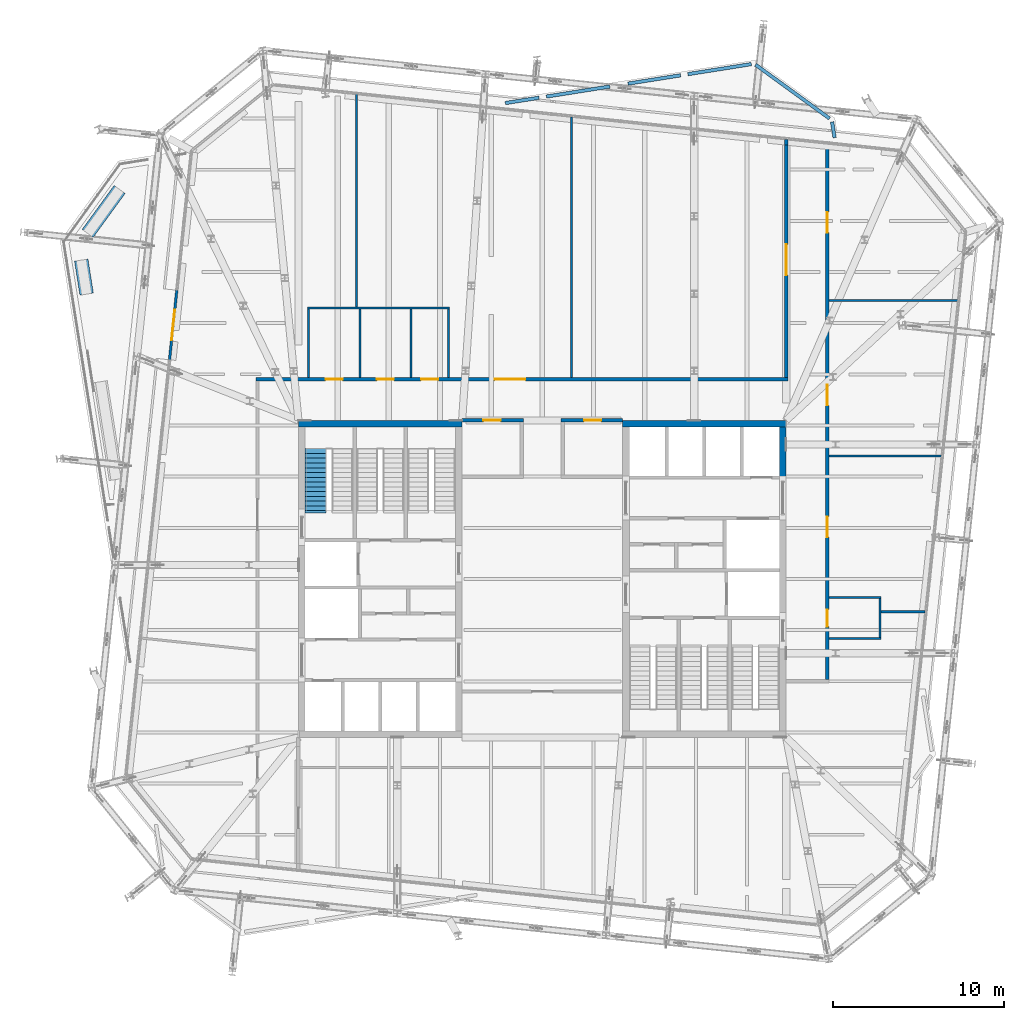
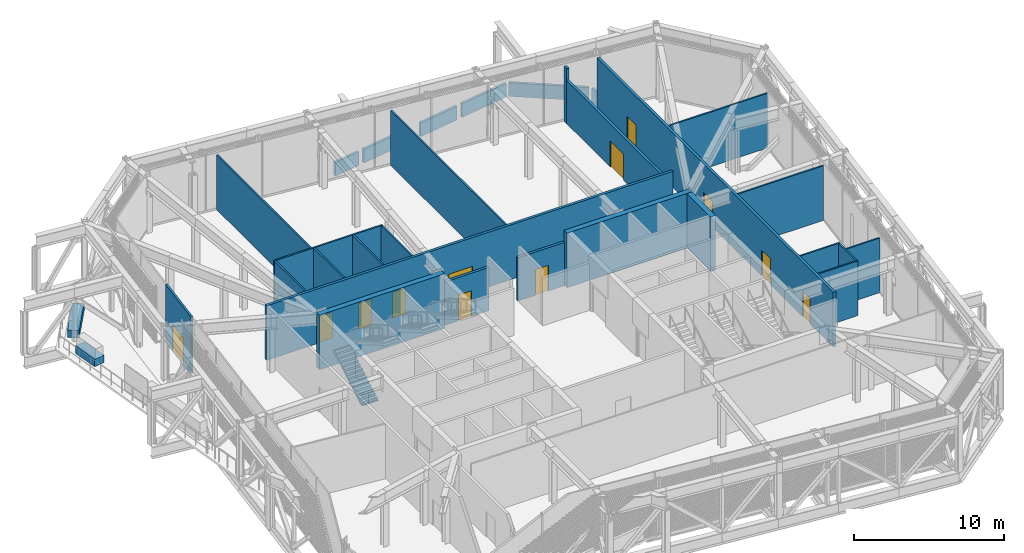
# One storey, part 23 of 36: 31 walls, 12 doors, 1 stair flight, 12 openings, 1 element without a shape of its own.
"""IFC4 building model written with IfcOpenShell, lengths in metres."""

from ifc_helpers import new_model, si_unit, direction, frame, frame_2d, origin, place, context, subcontext, project, spatial, polyline, rectangle, outline, extrude, material, layer, layer_set, type_object, element, fill, aggregate, save


model = new_model("IFC4")

# Units and contexts
model_context = context("Model", 3, precision=1e-05, world=origin(), true_north=direction((0.0, 1.0)))
body_context = subcontext(model_context, "Body", "Model", "MODEL_VIEW")
ifc_project = project(units=[si_unit("LENGTHUNIT", "METRE"), si_unit("AREAUNIT", "SQUARE_METRE"), si_unit("VOLUMEUNIT", "CUBIC_METRE"), si_unit("PLANEANGLEUNIT", "RADIAN"), si_unit("MASSUNIT", "GRAM", prefix="KILO")], contexts=[model_context])

# Site, building, storey
site_placement = place(None, origin())
site = spatial("IfcSite", under=ifc_project, at=site_placement, CompositionType="ELEMENT")
building_placement = place(site_placement, origin())
building = spatial("IfcBuilding", under=site, at=building_placement, Name="Millrace Tower", CompositionType="ELEMENT")
storey_placement = place(building_placement, frame((0.0, 0.0, 271.39990234375)))
storey = spatial("IfcBuildingStorey", under=building, at=storey_placement, Name="L62", CompositionType="ELEMENT", Elevation=271.39990234375)

# Walls
ifc_material_1 = material(Name="Concrete C60", Category="concrete")
ifc_layer_1 = layer(ifc_material_1, 0.39990234375)
ifc_layer_set_1 = layer_set([ifc_layer_1], Name="Concrete C60")
wall_type_1 = type_object("IfcWallType", Name="Core wall 400 Concrete C60", PredefinedType="SHEAR", material=ifc_layer_set_1)
for number, where, z_axis, x_axis, name in (
    (1, (-14.300048828125, 9.10009765625, 0.0), (0.0, 0.0, 1.0), (1.0, 0.0, 0.0), "Core wall W L62"),
    (2, (14.300048828125, 9.10009765625, 0.0), (0.0, 0.0, 1.0), (-1.0, 0.0, 0.0), "Core wall E L62"),
):
    element("IfcWall", number, at=place(storey_placement, frame(where, z_axis=z_axis, x_axis=x_axis)), inside=storey, type_object=wall_type_1, Name=name, PredefinedType="SHEAR", context=body_context, shape_type="SweptSolid", body=[
        extrude(rectangle(XDim=9.60009765625, YDim=0.39990234375, at=frame_2d((4.800048828125, 0.0))), origin(), (0.0, 0.0, 1.0), 4.440185546875),
    ])
wall_1_placement = place(storey_placement, frame((14.10009765625, 8.89990234375, 0.0), z_axis=(0.0, 0.0, 1.0), x_axis=(0.0, -1.0, 0.0)))
element("IfcWall", 3, at=wall_1_placement, inside=storey, type_object=wall_type_1, Name="Core wall E L62", PredefinedType="SHEAR", context=body_context, shape_type="SweptSolid", body=[
    extrude(rectangle(XDim=3.14990234375, YDim=0.39990234375, at=frame_2d((1.574951171875, 0.0))), origin(), (0.0, 0.0, 1.0), 4.440185546875),
])

# Wall, opening, door
ifc_material_2 = material(Name="Masonry partition, fire-rated", Category="masonry")
ifc_layer_2 = layer(ifc_material_2, 0.199951171875)
ifc_layer_set_2 = layer_set([ifc_layer_2], Name="Masonry partition, fire-rated")
wall_type_2 = type_object("IfcWallType", Name="Corridor wall 200", PredefinedType="PARTITIONING", material=ifc_layer_set_2)
wall_2_placement = place(storey_placement, frame((-4.699951171875, 9.300048828125, 0.0), z_axis=(0.0, 0.0, 1.0), x_axis=(1.0, 0.0, 0.0)))
wall_2 = element("IfcWall", 4, at=wall_2_placement, inside=storey, type_object=wall_type_2, Name="Corridor wall L62", PredefinedType="PARTITIONING", context=body_context, shape_type="SweptSolid", body=[
    extrude(rectangle(XDim=3.599853515625, YDim=0.199951171875, at=frame_2d((1.7998046875, 0.0))), origin(), (0.0, 0.0, 1.0), 3.512939453125),
])
opening_1_placement = place(wall_2_placement, frame((1.25, 0.0, 0.0)))
opening_1 = element("IfcOpeningElement", 5, at=opening_1_placement, cuts=wall_2, Name="Opening 62-P001", PredefinedType="OPENING", context=body_context, shape_type="SweptSolid", body=[
    extrude(rectangle(XDim=1.0, YDim=2.10009765625, at=frame_2d((0.5, 1.050048828125))), frame((0.0, 0.10986328125, 0.0), z_axis=(0.0, -1.0, 0.0), x_axis=(1.0, 0.0, 0.0)), (0.0, 0.0, 1.0), 0.219970703125),
])
ifc_material_3 = material(Name="Steel door set, fire-rated", Category="steel")
door_type_1 = type_object("IfcDoorType", Name="Corridor door 1000 x 2100", OperationType="SINGLE_SWING_LEFT", PredefinedType="DOOR", material=ifc_material_3)
door_1_placement = place(opening_1_placement, frame((1.0, 0.0, 0.0), z_axis=(0.0, 0.0, 1.0), x_axis=(-1.0, 0.0, 0.0)))
door_1 = element("IfcDoor", 6, at=door_1_placement, inside=storey, type_object=door_type_1, Name="Door 62-P001", OperationType="SINGLE_SWING_RIGHT", OverallHeight=2.10009765625, OverallWidth=1.0, PredefinedType="DOOR", context=body_context, shape_type="SweptSolid", body=[
    extrude(rectangle(XDim=1.0, YDim=2.10009765625, at=frame_2d((0.5, 1.050048828125))), frame((0.0, 0.02490234375, 0.0), z_axis=(0.0, -1.0, 0.0), x_axis=(1.0, 0.0, 0.0)), (0.0, 0.0, 1.0), 0.050048828125),
])
fill(opening_1, door_1)

wall_3_placement = place(storey_placement, frame((1.10009765625, 9.300048828125, 0.0), z_axis=(0.0, 0.0, 1.0), x_axis=(1.0, 0.0, 0.0)))
wall_3 = element("IfcWall", 7, at=wall_3_placement, inside=storey, type_object=wall_type_2, Name="Corridor wall L62", PredefinedType="PARTITIONING", context=body_context, shape_type="SweptSolid", body=[
    extrude(rectangle(XDim=3.599853515625, YDim=0.199951171875, at=frame_2d((1.7998046875, 0.0))), origin(), (0.0, 0.0, 1.0), 3.512939453125),
])
opening_2_placement = place(wall_3_placement, frame((1.35009765625, 0.0, 0.0)))
opening_2 = element("IfcOpeningElement", 8, at=opening_2_placement, cuts=wall_3, Name="Opening 62-P002", PredefinedType="OPENING", context=body_context, shape_type="SweptSolid", body=[
    extrude(rectangle(XDim=1.0, YDim=2.10009765625, at=frame_2d((0.5, 1.050048828125))), frame((0.0, 0.10986328125, 0.0), z_axis=(0.0, -1.0, 0.0), x_axis=(1.0, 0.0, 0.0)), (0.0, 0.0, 1.0), 0.219970703125),
])
door_2_placement = place(opening_2_placement, frame((1.0, 0.0, 0.0), z_axis=(0.0, 0.0, 1.0), x_axis=(-1.0, 0.0, 0.0)))
door_2 = element("IfcDoor", 9, at=door_2_placement, inside=storey, type_object=door_type_1, Name="Door 62-P002", OperationType="SINGLE_SWING_RIGHT", OverallHeight=2.10009765625, OverallWidth=1.0, PredefinedType="DOOR", context=body_context, shape_type="SweptSolid", body=[
    extrude(rectangle(XDim=1.0, YDim=2.10009765625, at=frame_2d((0.5, 1.050048828125))), frame((0.0, 0.02490234375, 0.0), z_axis=(0.0, -1.0, 0.0), x_axis=(1.0, 0.0, 0.0)), (0.0, 0.0, 1.0), 0.050048828125),
])
fill(opening_2, door_2)

# Wall, openings, doors
wall_4_placement = place(storey_placement, frame((-16.800048828125, 11.699951171875, 0.0), z_axis=(0.0, 0.0, 1.0), x_axis=(1.0, 0.0, 0.0)))
wall_4 = element("IfcWall", 10, at=wall_4_placement, inside=storey, type_object=wall_type_2, Name="Corridor wall L62", PredefinedType="PARTITIONING", context=body_context, shape_type="SweptSolid", body=[
    extrude(rectangle(XDim=31.199951171875, YDim=0.199951171875, at=frame_2d((15.60009765625, 0.0))), origin(), (0.0, 0.0, 1.0), 4.440185546875),
])
opening_3_placement = place(wall_4_placement, frame((14.00390625, 0.0, 0.0)))
opening_3 = element("IfcOpeningElement", 11, at=opening_3_placement, cuts=wall_4, Name="Opening 62-P005", PredefinedType="OPENING", context=body_context, shape_type="SweptSolid", body=[
    extrude(rectangle(XDim=1.800048828125, YDim=2.10009765625, at=frame_2d((0.89990234375, 1.050048828125))), frame((0.0, 0.10986328125, 0.0), z_axis=(0.0, -1.0, 0.0), x_axis=(1.0, 0.0, 0.0)), (0.0, 0.0, 1.0), 0.219970703125),
])
opening_4_placement = place(wall_4_placement, frame((4.10009765625, 0.0, 0.0)))
opening_4 = element("IfcOpeningElement", 12, at=opening_4_placement, cuts=wall_4, Name="Opening 62-P013", PredefinedType="OPENING", context=body_context, shape_type="SweptSolid", body=[
    extrude(rectangle(XDim=1.0, YDim=2.10009765625, at=frame_2d((0.5, 1.050048828125))), frame((0.0, 0.10986328125, 0.0), z_axis=(0.0, -1.0, 0.0), x_axis=(1.0, 0.0, 0.0)), (0.0, 0.0, 1.0), 0.219970703125),
])
opening_5_placement = place(wall_4_placement, frame((7.10009765625, 0.0, 0.0)))
opening_5 = element("IfcOpeningElement", 13, at=opening_5_placement, cuts=wall_4, Name="Opening 62-P014", PredefinedType="OPENING", context=body_context, shape_type="SweptSolid", body=[
    extrude(rectangle(XDim=1.0, YDim=2.10009765625, at=frame_2d((0.5, 1.050048828125))), frame((0.0, 0.10986328125, 0.0), z_axis=(0.0, -1.0, 0.0), x_axis=(1.0, 0.0, 0.0)), (0.0, 0.0, 1.0), 0.219970703125),
])
opening_6_placement = place(wall_4_placement, frame((9.699951171875, 0.0, 0.0)))
opening_6 = element("IfcOpeningElement", 14, at=opening_6_placement, cuts=wall_4, Name="Opening 62-P015", PredefinedType="OPENING", context=body_context, shape_type="SweptSolid", body=[
    extrude(rectangle(XDim=1.0, YDim=2.10009765625, at=frame_2d((0.5, 1.050048828125))), frame((0.0, 0.10986328125, 0.0), z_axis=(0.0, -1.0, 0.0), x_axis=(1.0, 0.0, 0.0)), (0.0, 0.0, 1.0), 0.219970703125),
])
door_3_placement = place(opening_4_placement, origin())
door_3 = element("IfcDoor", 15, at=door_3_placement, inside=storey, type_object=door_type_1, Name="Door 62-P013", OperationType="SINGLE_SWING_LEFT", OverallHeight=2.10009765625, OverallWidth=1.0, PredefinedType="DOOR", context=body_context, shape_type="SweptSolid", body=[
    extrude(rectangle(XDim=1.0, YDim=2.10009765625, at=frame_2d((0.5, 1.050048828125))), frame((0.0, 0.02490234375, 0.0), z_axis=(0.0, -1.0, 0.0), x_axis=(1.0, 0.0, 0.0)), (0.0, 0.0, 1.0), 0.050048828125),
])
fill(opening_4, door_3)
door_4_placement = place(opening_5_placement, origin())
door_4 = element("IfcDoor", 16, at=door_4_placement, inside=storey, type_object=door_type_1, Name="Door 62-P014", OperationType="SINGLE_SWING_LEFT", OverallHeight=2.10009765625, OverallWidth=1.0, PredefinedType="DOOR", context=body_context, shape_type="SweptSolid", body=[
    extrude(rectangle(XDim=1.0, YDim=2.10009765625, at=frame_2d((0.5, 1.050048828125))), frame((0.0, 0.02490234375, 0.0), z_axis=(0.0, -1.0, 0.0), x_axis=(1.0, 0.0, 0.0)), (0.0, 0.0, 1.0), 0.050048828125),
])
fill(opening_5, door_4)
door_5_placement = place(opening_6_placement, origin())
door_5 = element("IfcDoor", 17, at=door_5_placement, inside=storey, type_object=door_type_1, Name="Door 62-P015", OperationType="SINGLE_SWING_LEFT", OverallHeight=2.10009765625, OverallWidth=1.0, PredefinedType="DOOR", context=body_context, shape_type="SweptSolid", body=[
    extrude(rectangle(XDim=1.0, YDim=2.10009765625, at=frame_2d((0.5, 1.050048828125))), frame((0.0, 0.02490234375, 0.0), z_axis=(0.0, -1.0, 0.0), x_axis=(1.0, 0.0, 0.0)), (0.0, 0.0, 1.0), 0.050048828125),
])
fill(opening_6, door_5)
ifc_material_4 = material(Name="Steel door set, fire-rated", Category="steel")
door_type_2 = type_object("IfcDoorType", Name="Corridor door 1800 x 2100", OperationType="DOUBLE_DOOR_SINGLE_SWING", PredefinedType="DOOR", material=ifc_material_4)
door_6_placement = place(opening_3_placement, frame((1.800048828125, 0.0, 0.0), z_axis=(0.0, 0.0, 1.0), x_axis=(-1.0, 0.0, 0.0)))
door_6 = element("IfcDoor", 18, at=door_6_placement, inside=storey, type_object=door_type_2, Name="Door 62-P005", OperationType="DOUBLE_DOOR_SINGLE_SWING", OverallHeight=2.10009765625, OverallWidth=1.800048828125, PredefinedType="DOOR", context=body_context, shape_type="SweptSolid", body=[
    extrude(rectangle(XDim=1.800048828125, YDim=2.10009765625, at=frame_2d((0.89990234375, 1.050048828125))), frame((0.0, 0.02490234375, 0.0), z_axis=(0.0, -1.0, 0.0), x_axis=(1.0, 0.0, 0.0)), (0.0, 0.0, 1.0), 0.050048828125),
])
fill(opening_3, door_6)

wall_5_placement = place(storey_placement, frame((16.699951171875, -5.89990234375, 0.0), z_axis=(0.0, 0.0, 1.0), x_axis=(0.0, 1.0, 0.0)))
wall_5 = element("IfcWall", 19, at=wall_5_placement, inside=storey, type_object=wall_type_2, Name="Corridor wall L62", PredefinedType="PARTITIONING", context=body_context, shape_type="SweptSolid", body=[
    extrude(rectangle(XDim=31.421142578125, YDim=0.199951171875, at=frame_2d((15.71044921875, 0.0))), origin(), (0.0, 0.0, 1.0), 4.440185546875),
])
opening_7_placement = place(wall_5_placement, frame((8.354736328125, 0.0, 0.0)))
opening_7 = element("IfcOpeningElement", 20, at=opening_7_placement, cuts=wall_5, Name="Opening 62-P009", PredefinedType="OPENING", context=body_context, shape_type="SweptSolid", body=[
    extrude(rectangle(XDim=1.199951171875, YDim=2.10009765625, at=frame_2d((0.60009765625, 1.050048828125))), frame((0.0, 0.10986328125, 0.0), z_axis=(0.0, -1.0, 0.0), x_axis=(1.0, 0.0, 0.0)), (0.0, 0.0, 1.0), 0.219970703125),
])
opening_8_placement = place(wall_5_placement, frame((26.20556640625, 0.0, 0.0)))
opening_8 = element("IfcOpeningElement", 21, at=opening_8_placement, cuts=wall_5, Name="Opening 62-P010", PredefinedType="OPENING", context=body_context, shape_type="SweptSolid", body=[
    extrude(rectangle(XDim=1.199951171875, YDim=2.10009765625, at=frame_2d((0.60009765625, 1.050048828125))), frame((0.0, 0.10986328125, 0.0), z_axis=(0.0, -1.0, 0.0), x_axis=(1.0, 0.0, 0.0)), (0.0, 0.0, 1.0), 0.219970703125),
])
opening_9_placement = place(wall_5_placement, frame((16.07470703125, 0.0, 0.0)))
opening_9 = element("IfcOpeningElement", 22, at=opening_9_placement, cuts=wall_5, Name="Opening 62-P011", PredefinedType="OPENING", context=body_context, shape_type="SweptSolid", body=[
    extrude(rectangle(XDim=1.199951171875, YDim=2.10009765625, at=frame_2d((0.60009765625, 1.050048828125))), frame((0.0, 0.10986328125, 0.0), z_axis=(0.0, -1.0, 0.0), x_axis=(1.0, 0.0, 0.0)), (0.0, 0.0, 1.0), 0.219970703125),
])
opening_10_placement = place(wall_5_placement, frame((3.10009765625, 0.0, 0.0)))
opening_10 = element("IfcOpeningElement", 23, at=opening_10_placement, cuts=wall_5, Name="Opening 62-P012", PredefinedType="OPENING", context=body_context, shape_type="SweptSolid", body=[
    extrude(rectangle(XDim=1.0, YDim=2.10009765625, at=frame_2d((0.5, 1.050048828125))), frame((0.0, 0.10986328125, 0.0), z_axis=(0.0, -1.0, 0.0), x_axis=(1.0, 0.0, 0.0)), (0.0, 0.0, 1.0), 0.219970703125),
])
door_7_placement = place(opening_10_placement, frame((1.0, 0.0, 0.0), z_axis=(0.0, 0.0, 1.0), x_axis=(-1.0, 0.0, 0.0)))
door_7 = element("IfcDoor", 24, at=door_7_placement, inside=storey, type_object=door_type_1, Name="Door 62-P012", OperationType="SINGLE_SWING_RIGHT", OverallHeight=2.10009765625, OverallWidth=1.0, PredefinedType="DOOR", context=body_context, shape_type="SweptSolid", body=[
    extrude(rectangle(XDim=1.0, YDim=2.10009765625, at=frame_2d((0.5, 1.050048828125))), frame((0.0, 0.02490234375, 0.0), z_axis=(0.0, -1.0, 0.0), x_axis=(1.0, 0.0, 0.0)), (0.0, 0.0, 1.0), 0.050048828125),
])
fill(opening_10, door_7)
ifc_material_5 = material(Name="Steel door set, fire-rated", Category="steel")
door_type_3 = type_object("IfcDoorType", Name="Corridor door 1200 x 2100", OperationType="SINGLE_SWING_LEFT", PredefinedType="DOOR", material=ifc_material_5)
door_8_placement = place(opening_7_placement, frame((1.199951171875, 0.0, 0.0), z_axis=(0.0, 0.0, 1.0), x_axis=(-1.0, 0.0, 0.0)))
door_8 = element("IfcDoor", 25, at=door_8_placement, inside=storey, type_object=door_type_3, Name="Door 62-P009", OperationType="SINGLE_SWING_RIGHT", OverallHeight=2.10009765625, OverallWidth=1.199951171875, PredefinedType="DOOR", context=body_context, shape_type="SweptSolid", body=[
    extrude(rectangle(XDim=1.199951171875, YDim=2.10009765625, at=frame_2d((0.60009765625, 1.050048828125))), frame((0.0, 0.02490234375, 0.0), z_axis=(0.0, -1.0, 0.0), x_axis=(1.0, 0.0, 0.0)), (0.0, 0.0, 1.0), 0.050048828125),
])
fill(opening_7, door_8)
door_9_placement = place(opening_8_placement, frame((1.199951171875, 0.0, 0.0), z_axis=(0.0, 0.0, 1.0), x_axis=(-1.0, 0.0, 0.0)))
door_9 = element("IfcDoor", 26, at=door_9_placement, inside=storey, type_object=door_type_3, Name="Door 62-P010", OperationType="SINGLE_SWING_LEFT", OverallHeight=2.10009765625, OverallWidth=1.199951171875, PredefinedType="DOOR", context=body_context, shape_type="SweptSolid", body=[
    extrude(rectangle(XDim=1.199951171875, YDim=2.10009765625, at=frame_2d((0.60009765625, 1.050048828125))), frame((0.0, 0.02490234375, 0.0), z_axis=(0.0, -1.0, 0.0), x_axis=(1.0, 0.0, 0.0)), (0.0, 0.0, 1.0), 0.050048828125),
])
fill(opening_8, door_9)
door_10_placement = place(opening_9_placement, frame((1.199951171875, 0.0, 0.0), z_axis=(0.0, 0.0, 1.0), x_axis=(-1.0, 0.0, 0.0)))
door_10 = element("IfcDoor", 27, at=door_10_placement, inside=storey, type_object=door_type_3, Name="Door 62-P011", OperationType="SINGLE_SWING_LEFT", OverallHeight=2.10009765625, OverallWidth=1.199951171875, PredefinedType="DOOR", context=body_context, shape_type="SweptSolid", body=[
    extrude(rectangle(XDim=1.199951171875, YDim=2.10009765625, at=frame_2d((0.60009765625, 1.050048828125))), frame((0.0, 0.02490234375, 0.0), z_axis=(0.0, -1.0, 0.0), x_axis=(1.0, 0.0, 0.0)), (0.0, 0.0, 1.0), 0.050048828125),
])
fill(opening_9, door_10)

# Wall, opening, door
wall_6_placement = place(storey_placement, frame((14.300048828125, 11.800048828125, 0.0), z_axis=(0.0, 0.0, 1.0), x_axis=(0.0, 1.0, 0.0)))
wall_6 = element("IfcWall", 28, at=wall_6_placement, inside=storey, type_object=wall_type_2, Name="Corridor wall L62", PredefinedType="PARTITIONING", context=body_context, shape_type="SweptSolid", body=[
    extrude(rectangle(XDim=13.63427734375, YDim=0.199951171875, at=frame_2d((6.817138671875, 0.0))), origin(), (0.0, 0.0, 1.0), 3.49267578125),
])
opening_11_placement = place(wall_6_placement, frame((6.011474609375, 0.0, 0.0)))
opening_11 = element("IfcOpeningElement", 29, at=opening_11_placement, cuts=wall_6, Name="Opening 62-P006", PredefinedType="OPENING", context=body_context, shape_type="SweptSolid", body=[
    extrude(rectangle(XDim=1.800048828125, YDim=2.10009765625, at=frame_2d((0.89990234375, 1.050048828125))), frame((0.0, 0.10986328125, 0.0), z_axis=(0.0, -1.0, 0.0), x_axis=(1.0, 0.0, 0.0)), (0.0, 0.0, 1.0), 0.219970703125),
])
door_11_placement = place(opening_11_placement, frame((1.800048828125, 0.0, 0.0), z_axis=(0.0, 0.0, 1.0), x_axis=(-1.0, 0.0, 0.0)))
door_11 = element("IfcDoor", 30, at=door_11_placement, inside=storey, type_object=door_type_2, Name="Door 62-P006", OperationType="DOUBLE_DOOR_SINGLE_SWING", OverallHeight=2.10009765625, OverallWidth=1.800048828125, PredefinedType="DOOR", context=body_context, shape_type="SweptSolid", body=[
    extrude(rectangle(XDim=1.800048828125, YDim=2.10009765625, at=frame_2d((0.89990234375, 1.050048828125))), frame((0.0, 0.02490234375, 0.0), z_axis=(0.0, -1.0, 0.0), x_axis=(1.0, 0.0, 0.0)), (0.0, 0.0, 1.0), 0.050048828125),
])
fill(opening_11, door_11)

# Wall
wall_7_placement = place(storey_placement, frame((14.300048828125, 25.434326171875, 0.0), z_axis=(0.0, 0.0, 1.0), x_axis=(0.0, 1.0, 0.0)))
element("IfcWall", 31, at=wall_7_placement, inside=storey, type_object=wall_type_2, Name="Corridor wall L62", PredefinedType="PARTITIONING", context=body_context, shape_type="SweptSolid", body=[
    extrude(rectangle(XDim=0.339111328125, YDim=0.199951171875, at=frame_2d((0.16943359375, 0.0))), origin(), (0.0, 0.0, 1.0), 4.440185546875),
])

# Wall, opening, door
ifc_material_6 = material(Name="Aluminium framed glazing", Category="aluminium")
ifc_layer_3 = layer(ifc_material_6, 0.14990234375)
ifc_layer_set_3 = layer_set([ifc_layer_3], Name="Aluminium framed glazing")
wall_type_3 = type_object("IfcWallType", Name="Entrance infill wall 150 thick", PredefinedType="STANDARD", material=ifc_layer_set_3)
wall_8_placement = place(storey_placement, frame((-21.428466796875, 16.9296875, 0.0), z_axis=(0.0, 0.0, 1.0), x_axis=(-0.104574934909, -0.994517009904, 0.0)))
wall_8 = element("IfcWall", 32, at=wall_8_placement, inside=storey, type_object=wall_type_3, Name="Entrance infill wall E-F08 3", PredefinedType="STANDARD", context=body_context, shape_type="SweptSolid", body=[
    extrude(rectangle(XDim=4.1650390625, YDim=0.14990234375, at=frame_2d((2.08251953125, 0.0))), origin(), (0.0, 0.0, 1.0), 4.60009765625),
])
opening_12_placement = place(wall_8_placement, frame((1.14990234375, 0.0, 0.0)))
opening_12 = element("IfcOpeningElement", 33, at=opening_12_placement, cuts=wall_8, Name="Opening 62-X001", PredefinedType="OPENING", context=body_context, shape_type="SweptSolid", body=[
    extrude(rectangle(XDim=1.800048828125, YDim=2.10009765625, at=frame_2d((0.89990234375, 1.050048828125))), frame((0.0, 0.0849609375, 0.0), z_axis=(0.0, -1.0, 0.0), x_axis=(1.0, 0.0, 0.0)), (0.0, 0.0, 1.0), 0.169921875),
])
ifc_material_7 = material(Name="Aluminium and glass", Category="aluminium")
door_type_4 = type_object("IfcDoorType", Name="Terrace double door", OperationType="DOUBLE_DOOR_DOUBLE_SWING", PredefinedType="DOOR", material=ifc_material_7)
door_12_placement = place(opening_12_placement, frame((1.800048828125, 0.0, 0.0), z_axis=(0.0, 0.0, 1.0), x_axis=(-1.0, 0.0, 0.0)))
door_12 = element("IfcDoor", 34, at=door_12_placement, inside=storey, type_object=door_type_4, Name="62-X001", OperationType="DOUBLE_DOOR_DOUBLE_SWING", OverallHeight=2.10009765625, OverallWidth=1.800048828125, PredefinedType="DOOR", context=body_context, shape_type="SweptSolid", body=[
    extrude(rectangle(XDim=1.800048828125, YDim=2.10009765625, at=frame_2d((0.89990234375, 1.050048828125))), frame((0.0, 0.02490234375, 0.0), z_axis=(0.0, -1.0, 0.0), x_axis=(1.0, 0.0, 0.0)), (0.0, 0.0, 1.0), 0.050048828125),
])
fill(opening_12, door_12)

# Walls
ifc_material_8 = material(Name="Concrete C40", Category="concrete")
ifc_layer_4 = layer(ifc_material_8, 0.800048828125)
ifc_layer_set_4 = layer_set([ifc_layer_4], Name="Concrete C40")
wall_type_4 = type_object("IfcWallType", Name="PLANTER raised bed 600 high x 800 thick", PredefinedType="STANDARD", material=ifc_layer_set_4)
wall_9_placement = place(storey_placement, frame((-24.7841796875, 22.835693359375, 0.0400390625), z_axis=(0.0, 0.0, 1.0), x_axis=(-0.587761327517, -0.809034376201, 0.0)))
element("IfcWall", 35, at=wall_9_placement, inside=storey, type_object=wall_type_4, Name="PLANTER raised bed T-L61-1 1.1.0", PredefinedType="STANDARD", context=body_context, shape_type="SweptSolid", body=[
    extrude(rectangle(XDim=3.184326171875, YDim=0.800048828125, at=frame_2d((1.59228515625, 0.0))), origin(), (0.0, 0.0, 1.0), 0.60009765625),
])
wall_10_placement = place(storey_placement, frame((-27.031982421875, 18.692626953125, 0.0400390625), z_axis=(0.0, 0.0, 1.0), x_axis=(0.15648459222, -0.987680399926, 0.0)))
element("IfcWall", 36, at=wall_10_placement, inside=storey, type_object=wall_type_4, Name="PLANTER raised bed T-L61-1 1.2.0", PredefinedType="STANDARD", context=body_context, shape_type="SweptSolid", body=[
    extrude(rectangle(XDim=2.017333984375, YDim=0.800048828125, at=frame_2d((1.0087890625, 0.0))), origin(), (0.0, 0.0, 1.0), 0.60009765625),
])
ifc_material_9 = material(Name="Gypsum board partition")
ifc_layer_5 = layer(ifc_material_9, 0.1201171875)
ifc_layer_set_5 = layer_set([ifc_layer_5], Name="Gypsum board partition")
wall_type_5 = type_object("IfcWallType", Name="Partition wall 120", PredefinedType="PARTITIONING", material=ifc_layer_set_5)
wall_11_placement = place(storey_placement, frame((16.800048828125, -3.5, 0.0), z_axis=(0.0, 0.0, 1.0), x_axis=(1.0, 0.0, 0.0)))
element("IfcWall", 37, at=wall_11_placement, inside=storey, type_object=wall_type_5, Name="Partition wall L62", PredefinedType="PARTITIONING", context=body_context, shape_type="SweptSolid", body=[
    extrude(rectangle(XDim=3.06005859375, YDim=0.1201171875, at=frame_2d((1.530029296875, 0.0))), origin(), (0.0, 0.0, 1.0), 4.440185546875),
])
wall_12_placement = place(storey_placement, frame((19.860107421875, -1.92138671875, 0.0), z_axis=(0.0, 0.0, 1.0), x_axis=(1.0, 0.0, 0.0)))
element("IfcWall", 38, at=wall_12_placement, inside=storey, type_object=wall_type_5, Name="Partition wall L62", PredefinedType="PARTITIONING", context=body_context, shape_type="SweptSolid", body=[
    extrude(rectangle(XDim=2.586181640625, YDim=0.1201171875, at=frame_2d((1.29296875, 0.0))), origin(), (0.0, 0.0, 1.0), 4.440185546875),
])
wall_13_placement = place(storey_placement, frame((16.800048828125, -1.10009765625, 0.0), z_axis=(0.0, 0.0, 1.0), x_axis=(1.0, 0.0, 0.0)))
element("IfcWall", 39, at=wall_13_placement, inside=storey, type_object=wall_type_5, Name="Partition wall L62", PredefinedType="PARTITIONING", context=body_context, shape_type="SweptSolid", body=[
    extrude(rectangle(XDim=3.06005859375, YDim=0.1201171875, at=frame_2d((1.530029296875, 0.0))), origin(), (0.0, 0.0, 1.0), 4.440185546875),
])
wall_14_placement = place(storey_placement, frame((16.800048828125, 7.20947265625, 0.0), z_axis=(0.0, 0.0, 1.0), x_axis=(1.0, 0.0, 0.0)))
element("IfcWall", 40, at=wall_14_placement, inside=storey, type_object=wall_type_5, Name="Partition wall L62", PredefinedType="PARTITIONING", context=body_context, shape_type="SweptSolid", body=[
    extrude(rectangle(XDim=6.60595703125, YDim=0.1201171875, at=frame_2d((3.302978515625, 0.0))), origin(), (0.0, 0.0, 1.0), 4.440185546875),
])
wall_15_placement = place(storey_placement, frame((-13.760009765625, 15.89990234375, 0.0), z_axis=(0.0, 0.0, 1.0), x_axis=(1.0, 0.0, 0.0)))
element("IfcWall", 41, at=wall_15_placement, inside=storey, type_object=wall_type_5, Name="Partition wall L62", PredefinedType="PARTITIONING", context=body_context, shape_type="SweptSolid", body=[
    extrude(rectangle(XDim=8.320068359375, YDim=0.1201171875, at=frame_2d((4.16015625, 0.0))), origin(), (0.0, 0.0, 1.0), 4.440185546875),
])
wall_16_placement = place(storey_placement, frame((16.800048828125, 16.340087890625, 0.0), z_axis=(0.0, 0.0, 1.0), x_axis=(1.0, 0.0, 0.0)))
element("IfcWall", 42, at=wall_16_placement, inside=storey, type_object=wall_type_5, Name="Partition wall L62", PredefinedType="PARTITIONING", context=body_context, shape_type="SweptSolid", body=[
    extrude(rectangle(XDim=7.565673828125, YDim=0.1201171875, at=frame_2d((3.78271484375, 0.0))), origin(), (0.0, 0.0, 1.0), 4.440185546875),
])
wall_17_placement = place(storey_placement, frame((19.800048828125, -3.43994140625, 0.0), z_axis=(0.0, 0.0, 1.0), x_axis=(0.0, 1.0, 0.0)))
element("IfcWall", 43, at=wall_17_placement, inside=storey, type_object=wall_type_5, Name="Partition wall L62", PredefinedType="PARTITIONING", context=body_context, shape_type="SweptSolid", body=[
    extrude(rectangle(XDim=2.280029296875, YDim=0.1201171875, at=frame_2d((1.14013671875, 0.0))), origin(), (0.0, 0.0, 1.0), 4.440185546875),
])
wall_18_placement = place(storey_placement, frame((1.707763671875, 11.800048828125, 0.0), z_axis=(0.0, 0.0, 1.0), x_axis=(0.0, 1.0, 0.0)))
element("IfcWall", 44, at=wall_18_placement, inside=storey, type_object=wall_type_5, Name="Partition wall L62", PredefinedType="PARTITIONING", context=body_context, shape_type="SweptSolid", body=[
    extrude(rectangle(XDim=15.296875, YDim=0.1201171875, at=frame_2d((7.6484375, 0.0))), origin(), (0.0, 0.0, 1.0), 4.440185546875),
])
for number, where, z_axis, x_axis, name in (
    (45, (-5.5, 11.800048828125, 0.0), (0.0, 0.0, 1.0), (0.0, 1.0, 0.0), "Partition wall L62"),
    (46, (-7.699951171875, 11.800048828125, 0.0), (0.0, 0.0, 1.0), (0.0, 1.0, 0.0), "Partition wall L62"),
    (47, (-10.699951171875, 11.800048828125, 0.0), (0.0, 0.0, 1.0), (0.0, 1.0, 0.0), "Partition wall L62"),
):
    element("IfcWall", number, at=place(storey_placement, frame(where, z_axis=z_axis, x_axis=x_axis)), inside=storey, type_object=wall_type_5, Name=name, PredefinedType="PARTITIONING", context=body_context, shape_type="SweptSolid", body=[
        extrude(rectangle(XDim=4.0400390625, YDim=0.1201171875, at=frame_2d((2.02001953125, 0.0))), origin(), (0.0, 0.0, 1.0), 4.440185546875),
    ])
wall_19_placement = place(storey_placement, frame((-10.884765625, 15.9599609375, 0.0), z_axis=(0.0, 0.0, 1.0), x_axis=(0.0, 1.0, 0.0)))
element("IfcWall", 48, at=wall_19_placement, inside=storey, type_object=wall_type_5, Name="Partition wall L62", PredefinedType="PARTITIONING", context=body_context, shape_type="SweptSolid", body=[
    extrude(rectangle(XDim=12.46044921875, YDim=0.1201171875, at=frame_2d((6.230224609375, 0.0))), origin(), (0.0, 0.0, 1.0), 4.440185546875),
])
wall_20_placement = place(storey_placement, frame((-13.699951171875, 11.800048828125, 0.0), z_axis=(0.0, 0.0, 1.0), x_axis=(0.0, 1.0, 0.0)))
element("IfcWall", 49, at=wall_20_placement, inside=storey, type_object=wall_type_5, Name="Partition wall L62", PredefinedType="PARTITIONING", context=body_context, shape_type="SweptSolid", body=[
    extrude(rectangle(XDim=4.0400390625, YDim=0.1201171875, at=frame_2d((2.02001953125, 0.0))), origin(), (0.0, 0.0, 1.0), 4.440185546875),
])
ifc_material_10 = material(Name="Concrete C40", Category="concrete")
ifc_layer_6 = layer(ifc_material_10, 0.199951171875)
ifc_layer_set_6 = layer_set([ifc_layer_6], Name="Concrete C40")
wall_type_6 = type_object("IfcWallType", Name="Roof parapet 1100", PredefinedType="PARAPET", material=ifc_layer_set_6)
wall_21_placement = place(storey_placement, frame((-2.172119140625, 27.90185546875, 0.0), z_axis=(0.0, 0.0, 1.0), x_axis=(0.987689875172, 0.156424775797, 0.0)))
element("IfcWall", 50, at=wall_21_placement, inside=storey, type_object=wall_type_6, Name="Roof parapet L61-E3-1 1", PredefinedType="PARAPET", context=body_context, shape_type="SweptSolid", body=[
    extrude(rectangle(XDim=2.007080078125, YDim=0.199951171875, at=frame_2d((1.00341796875, 0.0))), origin(), (0.0, 0.0, 1.0), 1.10009765625),
])
wall_22_placement = place(storey_placement, frame((0.23681640625, 28.283447265625, 0.0), z_axis=(0.0, 0.0, 1.0), x_axis=(0.987682457607, 0.156471604246, 0.0)))
element("IfcWall", 51, at=wall_22_placement, inside=storey, type_object=wall_type_6, Name="Roof parapet L61-E3-2 1", PredefinedType="PARAPET", context=body_context, shape_type="SweptSolid", body=[
    extrude(rectangle(XDim=3.76806640625, YDim=0.199951171875, at=frame_2d((1.884033203125, 0.0))), origin(), (0.0, 0.0, 1.0), 1.10009765625),
])
wall_23_placement = place(storey_placement, frame((5.020263671875, 29.041259765625, 0.0), z_axis=(0.0, 0.0, 1.0), x_axis=(0.987691914617, 0.156411897885, 0.0)))
element("IfcWall", 52, at=wall_23_placement, inside=storey, type_object=wall_type_6, Name="Roof parapet L61-E3-3 1", PredefinedType="PARAPET", context=body_context, shape_type="SweptSolid", body=[
    extrude(rectangle(XDim=3.125, YDim=0.199951171875, at=frame_2d((1.5625, 0.0))), origin(), (0.0, 0.0, 1.0), 1.10009765625),
])
wall_24_placement = place(storey_placement, frame((8.533447265625, 29.59765625, 0.0), z_axis=(0.0, 0.0, 1.0), x_axis=(0.987692468849, 0.156408398045, 0.0)))
element("IfcWall", 53, at=wall_24_placement, inside=storey, type_object=wall_type_6, Name="Roof parapet L61-E3-4 1", PredefinedType="PARAPET", context=body_context, shape_type="SweptSolid", body=[
    extrude(rectangle(XDim=3.76806640625, YDim=0.199951171875, at=frame_2d((1.884033203125, 0.0))), origin(), (0.0, 0.0, 1.0), 1.10009765625),
])
wall_25_placement = place(storey_placement, frame((12.503173828125, 30.151611328125, 0.0), z_axis=(0.0, 0.0, 1.0), x_axis=(0.809009649216, -0.587795361904, 0.0)))
element("IfcWall", 54, at=wall_25_placement, inside=storey, type_object=wall_type_6, Name="Roof parapet L61-E3-5 1", PredefinedType="PARAPET", context=body_context, shape_type="SweptSolid", body=[
    extrude(rectangle(XDim=5.362548828125, YDim=0.199951171875, at=frame_2d((2.68115234375, 0.0))), origin(), (0.0, 0.0, 1.0), 1.10009765625),
])
wall_26_placement = place(storey_placement, frame((16.991943359375, 26.799072265625, 0.0), z_axis=(0.0, 0.0, 1.0), x_axis=(0.156376760922, -0.987697478302, 0.0)))
element("IfcWall", 55, at=wall_26_placement, inside=storey, type_object=wall_type_6, Name="Roof parapet L61-E3-6 1", PredefinedType="PARAPET", context=body_context, shape_type="SweptSolid", body=[
    extrude(rectangle(XDim=0.938232421875, YDim=0.199951171875, at=frame_2d((0.46923828125, 0.0))), origin(), (0.0, 0.0, 1.0), 1.10009765625),
])

# Stair, stair flight
ifc_material_11 = material(Name="Concrete C35", Category="concrete")
stair_type = type_object("IfcStairType", Name="Exit stair", PredefinedType="HALF_TURN_STAIR", material=ifc_material_11)
stair_placement = place(storey_placement, origin())
stair = element("IfcStair", 56, at=stair_placement, inside=storey, type_object=stair_type, Name="Stair 1 W L62", PredefinedType="HALF_TURN_STAIR")
ifc_material_12 = material(Name="Concrete C35", Category="concrete")
stair_flight_type = type_object("IfcStairFlightType", Name="Exit stair flight", PredefinedType="STRAIGHT", material=ifc_material_12)
stair_flight_placement = place(storey_placement, frame((-13.2900390625, 4.0, 0.0), z_axis=(0.0, 0.0, 1.0), x_axis=(0.0, 1.0, 0.0)))
stair_flight = element("IfcStairFlight", 57, at=stair_flight_placement, type_object=stair_flight_type, Name="ST12 flight 1", NumberOfRisers=14, NumberOfTreads=13, PredefinedType="STRAIGHT", RiserHeight=0.164285714, TreadLength=0.28, context=body_context, shape_type="SweptSolid", body=[
    extrude(outline(polyline([(-0.1201171875, -0.0400390625), (-0.1201171875, 0.0), (0.0, 0.0), (0.0, 0.164306640625), (0.280029296875, 0.164306640625), (0.280029296875, 0.32861328125), (0.56005859375, 0.32861328125), (0.56005859375, 0.492919921875), (0.840087890625, 0.492919921875), (0.840087890625, 0.6572265625), (1.1201171875, 0.6572265625), (1.1201171875, 0.821533203125), (1.39990234375, 0.821533203125), (1.39990234375, 0.985595703125), (1.679931640625, 0.985595703125), (1.679931640625, 1.14990234375), (1.9599609375, 1.14990234375), (1.9599609375, 1.314208984375), (2.239990234375, 1.314208984375), (2.239990234375, 1.478515625), (2.52001953125, 1.478515625), (2.52001953125, 1.642822265625), (2.800048828125, 1.642822265625), (2.800048828125, 1.80712890625), (3.080078125, 1.80712890625), (3.080078125, 1.971435546875), (3.360107421875, 1.971435546875), (3.360107421875, 2.1357421875), (3.639892578125, 2.1357421875), (3.639892578125, 2.15576171875), (3.760009765625, 2.15576171875), (3.760009765625, 1.9619140625), (3.639892578125, 1.9619140625), (0.296142578125, 0.0), (0.296142578125, -0.0400390625), (-0.1201171875, -0.0400390625)])), frame((0.0, 0.60986328125, 0.0), z_axis=(0.0, -1.0, 0.0), x_axis=(1.0, 0.0, 0.0)), (0.0, 0.0, 1.0), 1.219970703125),
])
aggregate(stair, [stair_flight])

save(model, "model.ifc")
